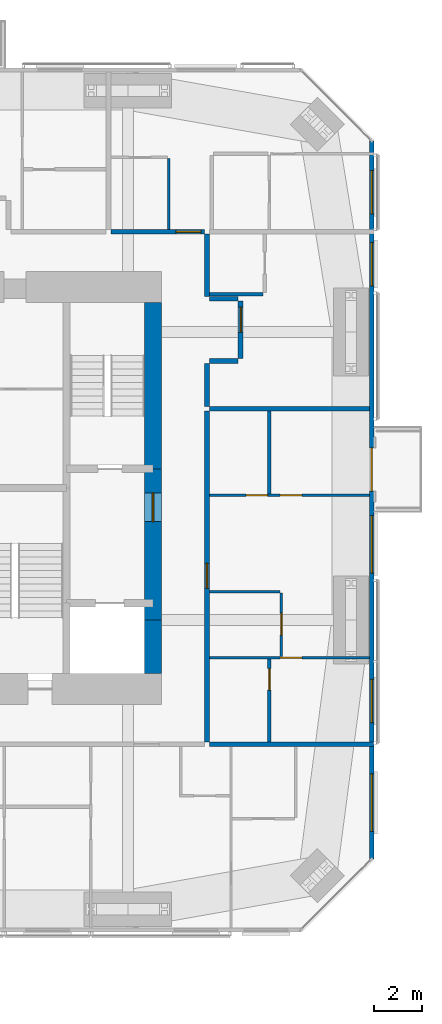
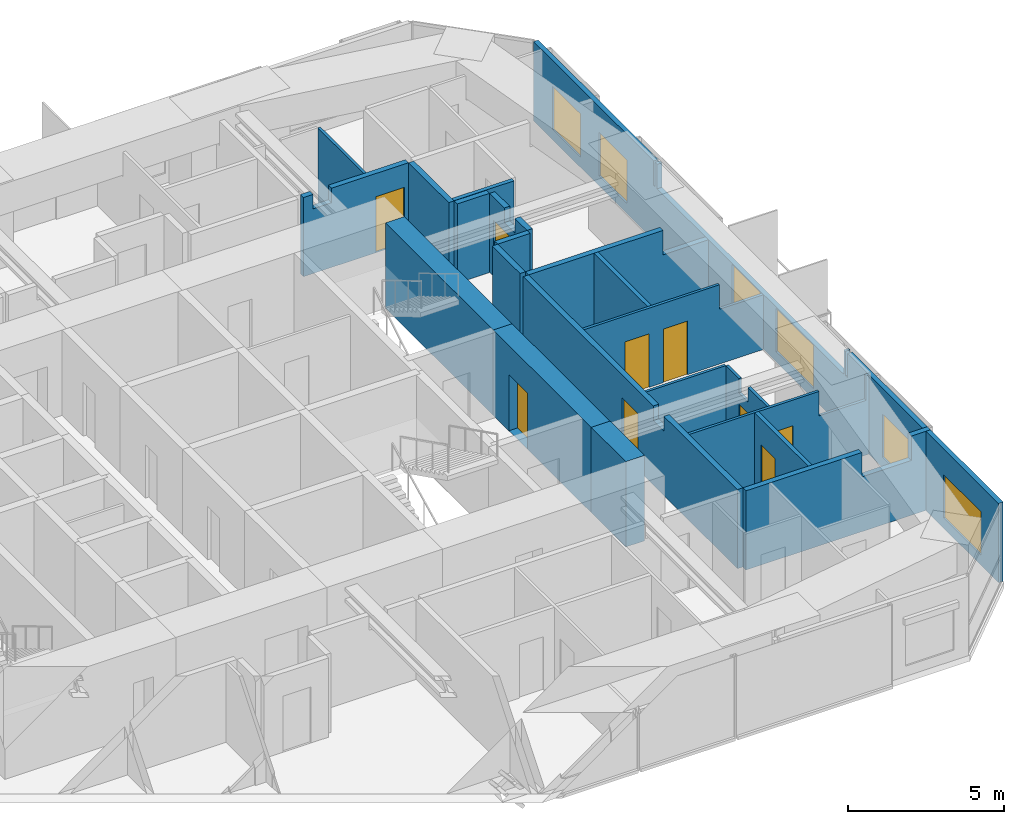
# One storey, part 20 of 23: 21 walls, 10 doors, 5 windows, 15 openings.
"""IFC4 building model written with IfcOpenShell, lengths in metres."""

from ifc_helpers import new_model, si_unit, direction, frame, frame_2d, origin, place, context, subcontext, project, spatial, polyline, rectangle, outline, extrude, material, layer, layer_set, constituent, constituent_set, type_object, element, fill, save


model = new_model("IFC4")

# Units and contexts
model_context = context("Model", 3, precision=1e-05, world=origin(), true_north=direction((0.0, 1.0)))
body_context = subcontext(model_context, "Body", "Model", "MODEL_VIEW")
ifc_project = project(units=[si_unit("LENGTHUNIT", "METRE"), si_unit("AREAUNIT", "SQUARE_METRE"), si_unit("VOLUMEUNIT", "CUBIC_METRE"), si_unit("PLANEANGLEUNIT", "RADIAN"), si_unit("MASSUNIT", "GRAM", prefix="KILO")], contexts=[model_context])

# Site, building, storey
site_placement = place(None, origin())
site = spatial("IfcSite", under=ifc_project, at=site_placement, CompositionType="ELEMENT")
building_placement = place(site_placement, origin())
building = spatial("IfcBuilding", under=site, at=building_placement, Name="Jalousie Tower", CompositionType="ELEMENT")
storey_placement = place(building_placement, frame((0.0, 0.0, 184.5)))
storey = spatial("IfcBuildingStorey", under=building, at=storey_placement, Name="L50", CompositionType="ELEMENT", Elevation=184.5)

# Wall, opening, door
ifc_material_1 = material(Name="Concrete block ASTM C90", Category="concrete")
ifc_constituent_1 = constituent(ifc_material_1, Name="Body")
ifc_material_2 = material(Name="Render")
ifc_constituent_2 = constituent(ifc_material_2, Name="Finish")
ifc_constituent_set_1 = constituent_set(constituents=[ifc_constituent_1, ifc_constituent_2])
wall_type_1 = type_object("IfcWallType", Name="BATHROOM WALL 150", PredefinedType="PLUMBINGWALL", material=ifc_constituent_set_1)
wall_1_placement = place(storey_placement, frame((48.64990234375, 7.925048828125, 0.0), z_axis=(0.0, 0.0, 1.0), x_axis=(0.0, 1.0, 0.0)))
wall_1 = element("IfcWall", 1, at=wall_1_placement, inside=storey, type_object=wall_type_1, Name="Bathroom Wall 150 L50", PredefinedType="PLUMBINGWALL", context=body_context, shape_type="SweptSolid", body=[
    extrude(rectangle(XDim=3.449951171875, YDim=0.14990234375, at=frame_2d((1.72509765625, 0.0))), origin(), (0.0, 0.0, 1.0), 3.110107421875),
])
opening_1_placement = place(wall_1_placement, frame((2.14990234375, 0.0, 0.0)))
opening_1 = element("IfcOpeningElement", 2, at=opening_1_placement, cuts=wall_1, Name="Opening D3", PredefinedType="OPENING", context=body_context, shape_type="SweptSolid", body=[
    extrude(rectangle(XDim=0.89990234375, YDim=2.10009765625, at=frame_2d((0.449951171875, 1.050048828125))), frame((0.0, 0.0849609375, 0.0), z_axis=(0.0, -1.0, 0.0), x_axis=(1.0, 0.0, 0.0)), (0.0, 0.0, 1.0), 0.169921875),
])
ifc_material_3 = material(Name="Timber door", Category="wood")
door_type_1 = type_object("IfcDoorType", Name="BATHROOM DOOR 900", OperationType="SINGLE_SWING_LEFT", PredefinedType="DOOR", material=ifc_material_3)
door_1_placement = place(opening_1_placement, origin())
door_1 = element("IfcDoor", 3, at=door_1_placement, inside=storey, type_object=door_type_1, Name="Apartment 5009 bedroom 1 bathroom door", OperationType="SINGLE_SWING_RIGHT", OverallHeight=2.10009765625, OverallWidth=0.89990234375, PredefinedType="DOOR", context=body_context, shape_type="SweptSolid", body=[
    extrude(rectangle(XDim=0.89990234375, YDim=2.10009765625, at=frame_2d((0.449951171875, 1.050048828125))), frame((0.0, 0.02490234375, 0.0), z_axis=(0.0, -1.0, 0.0), x_axis=(1.0, 0.0, 0.0)), (0.0, 0.0, 1.0), 0.050048828125),
])
fill(opening_1, door_1)

# Walls
wall_2_placement = place(storey_placement, frame((48.64990234375, 18.25, 0.0), z_axis=(0.0, 0.0, 1.0), x_axis=(0.0, 1.0, 0.0)))
element("IfcWall", 4, at=wall_2_placement, inside=storey, type_object=wall_type_1, Name="Bathroom Wall 150 L50", PredefinedType="PLUMBINGWALL", context=body_context, shape_type="SweptSolid", body=[
    extrude(rectangle(XDim=3.449951171875, YDim=0.14990234375, at=frame_2d((1.72509765625, 0.0))), origin(), (0.0, 0.0, 1.0), 3.110107421875),
])
wall_3_placement = place(storey_placement, frame((48.375, 26.574951171875, 0.0), z_axis=(0.0, 0.0, 1.0), x_axis=(-1.0, 0.0, 0.0)))
element("IfcWall", 5, at=wall_3_placement, inside=storey, type_object=wall_type_1, Name="Bathroom Wall 150 L50", PredefinedType="PLUMBINGWALL", context=body_context, shape_type="SweptSolid", body=[
    extrude(rectangle(XDim=2.22509765625, YDim=0.14990234375, at=frame_2d((1.112548828125, 0.0))), origin(), (0.0, 0.0, 1.0), 3.110107421875),
])
ifc_material_4 = material(Name="Concrete f'c 120 MPa", Category="concrete")
ifc_layer = layer(ifc_material_4, 0.699951171875)
ifc_layer_set = layer_set([ifc_layer], Name="Concrete f'c 120 MPa")
wall_type_2 = type_object("IfcWallType", Name="CORE WALL 700", PredefinedType="SHEAR", material=ifc_layer_set)
wall_4_placement = place(storey_placement, frame((43.800048828125, 10.77490234375, 0.0), z_axis=(0.0, 0.0, 1.0), x_axis=(0.0, 1.0, 0.0)))
element("IfcWall", 6, at=wall_4_placement, inside=storey, type_object=wall_type_2, Name="Core wall EA L50", PredefinedType="SHEAR", context=body_context, shape_type="SweptSolid", body=[
    extrude(rectangle(XDim=2.22509765625, YDim=0.699951171875, at=frame_2d((1.112548828125, 0.0))), origin(), (0.0, 0.0, 1.0), 3.35009765625),
])

# Wall, opening, door
wall_5_placement = place(storey_placement, frame((43.800048828125, 13.0, 0.0), z_axis=(0.0, 0.0, 1.0), x_axis=(0.0, 1.0, 0.0)))
wall_5 = element("IfcWall", 7, at=wall_5_placement, inside=storey, type_object=wall_type_2, Name="Core wall EB L50", PredefinedType="SHEAR", context=body_context, shape_type="SweptSolid", body=[
    extrude(rectangle(XDim=6.300048828125, YDim=0.699951171875, at=frame_2d((3.14990234375, 0.0))), origin(), (0.0, 0.0, 1.0), 3.35009765625),
])
opening_2_placement = place(wall_5_placement, frame((4.10009765625, 0.0, 0.0)))
opening_2 = element("IfcOpeningElement", 8, at=opening_2_placement, cuts=wall_5, Name="Opening D11", PredefinedType="OPENING", context=body_context, shape_type="SweptSolid", body=[
    extrude(rectangle(XDim=1.199951171875, YDim=2.199951171875, at=frame_2d((0.60009765625, 1.10009765625))), frame((0.0, 0.35986328125, 0.0), z_axis=(0.0, -1.0, 0.0), x_axis=(1.0, 0.0, 0.0)), (0.0, 0.0, 1.0), 0.719970703125),
])
ifc_material_5 = material(Name="Steel fire door", Category="steel")
door_type_2 = type_object("IfcDoorType", Name="FIRE DOOR 1200", OperationType="SINGLE_SWING_LEFT", PredefinedType="DOOR", material=ifc_material_5)
door_2_placement = place(opening_2_placement, origin())
door_2 = element("IfcDoor", 9, at=door_2_placement, inside=storey, type_object=door_type_2, Name="Fire-fighting lobby B door", OperationType="SINGLE_SWING_RIGHT", OverallHeight=2.199951171875, OverallWidth=1.199951171875, PredefinedType="DOOR", context=body_context, shape_type="SweptSolid", body=[
    extrude(rectangle(XDim=1.199951171875, YDim=2.199951171875, at=frame_2d((0.60009765625, 1.10009765625))), frame((0.0, 0.02490234375, 0.0), z_axis=(0.0, -1.0, 0.0), x_axis=(1.0, 0.0, 0.0)), (0.0, 0.0, 1.0), 0.050048828125),
])
fill(opening_2, door_2)

# Wall
wall_6_placement = place(storey_placement, frame((43.800048828125, 19.300048828125, 0.0), z_axis=(0.0, 0.0, 1.0), x_axis=(0.0, 1.0, 0.0)))
element("IfcWall", 10, at=wall_6_placement, inside=storey, type_object=wall_type_2, Name="Core wall EC L50", PredefinedType="SHEAR", context=body_context, shape_type="SweptSolid", body=[
    extrude(rectangle(XDim=6.925048828125, YDim=0.699951171875, at=frame_2d((3.46240234375, 0.0))), origin(), (0.0, 0.0, 1.0), 3.35009765625),
])

# Wall, opening, door
ifc_material_6 = material(Name="Concrete block ASTM C90", Category="concrete")
ifc_constituent_3 = constituent(ifc_material_6, Name="Body")
ifc_material_7 = material(Name="Render")
ifc_constituent_4 = constituent(ifc_material_7, Name="Finish")
ifc_constituent_set_2 = constituent_set(constituents=[ifc_constituent_3, ifc_constituent_4])
wall_type_3 = type_object("IfcWallType", Name="CORRIDOR WALL 200", PredefinedType="PARTITIONING", material=ifc_constituent_set_2)
wall_7_placement = place(storey_placement, frame((42.050048828125, 29.175048828125, 0.0), z_axis=(0.0, 0.0, 1.0), x_axis=(1.0, 0.0, 0.0)))
wall_7 = element("IfcWall", 11, at=wall_7_placement, inside=storey, type_object=wall_type_3, Name="Corridor Wall 200 L50", PredefinedType="PARTITIONING", context=body_context, shape_type="SweptSolid", body=[
    extrude(outline(polyline([(0.0, 0.0), (3.89990234375, 0.0), (3.89990234375, 3.110107421875), (1.037353515625, 3.110107421875), (1.037353515625, 2.541015625), (0.362548828125, 2.541015625), (0.362548828125, 3.110107421875), (0.0, 3.110107421875), (0.0, 0.0)])), frame((0.0, 0.10009765625, 0.0), z_axis=(0.0, -1.0, 0.0), x_axis=(1.0, 0.0, 0.0)), (0.0, 0.0, 1.0), 0.199951171875),
])
opening_3_placement = place(wall_7_placement, frame((2.699951171875, 0.0, 0.0)))
opening_3 = element("IfcOpeningElement", 12, at=opening_3_placement, cuts=wall_7, Name="Opening D1", PredefinedType="OPENING", context=body_context, shape_type="SweptSolid", body=[
    extrude(rectangle(XDim=1.050048828125, YDim=2.199951171875, at=frame_2d((0.52490234375, 1.10009765625))), frame((0.0, 0.10986328125, 0.0), z_axis=(0.0, -1.0, 0.0), x_axis=(1.0, 0.0, 0.0)), (0.0, 0.0, 1.0), 0.219970703125),
])
ifc_material_8 = material(Name="Timber fire door", Category="wood")
door_type_3 = type_object("IfcDoorType", Name="APARTMENT ENTRANCE DOOR 1050", OperationType="SINGLE_SWING_LEFT", PredefinedType="DOOR", material=ifc_material_8)
door_3_placement = place(opening_3_placement, origin())
door_3 = element("IfcDoor", 13, at=door_3_placement, inside=storey, type_object=door_type_3, Name="Apartment 5007 entrance", OperationType="SINGLE_SWING_LEFT", OverallHeight=2.199951171875, OverallWidth=1.050048828125, PredefinedType="DOOR", context=body_context, shape_type="SweptSolid", body=[
    extrude(rectangle(XDim=1.050048828125, YDim=2.199951171875, at=frame_2d((0.52490234375, 1.10009765625))), frame((0.0, 0.02490234375, 0.0), z_axis=(0.0, -1.0, 0.0), x_axis=(1.0, 0.0, 0.0)), (0.0, 0.0, 1.0), 0.050048828125),
])
fill(opening_3, door_3)

wall_8_placement = place(storey_placement, frame((46.050048828125, 7.925048828125, 0.0), z_axis=(0.0, 0.0, 1.0), x_axis=(0.0, 1.0, 0.0)))
wall_8 = element("IfcWall", 14, at=wall_8_placement, inside=storey, type_object=wall_type_3, Name="Corridor Wall 200 L50", PredefinedType="PARTITIONING", context=body_context, shape_type="SweptSolid", body=[
    extrude(outline(polyline([(0.0, 0.0), (13.77490234375, 0.0), (13.77490234375, 3.110107421875), (5.412353515625, 3.110107421875), (5.412353515625, 2.541015625), (4.73779296875, 2.541015625), (4.73779296875, 3.110107421875), (0.0, 3.110107421875), (0.0, 0.0)])), frame((0.0, 0.10009765625, 0.0), z_axis=(0.0, -1.0, 0.0), x_axis=(1.0, 0.0, 0.0)), (0.0, 0.0, 1.0), 0.199951171875),
])
opening_4_placement = place(wall_8_placement, frame((6.387451171875, 0.0, 0.0)))
opening_4 = element("IfcOpeningElement", 15, at=opening_4_placement, cuts=wall_8, Name="Opening D1", PredefinedType="OPENING", context=body_context, shape_type="SweptSolid", body=[
    extrude(rectangle(XDim=1.050048828125, YDim=2.199951171875, at=frame_2d((0.52490234375, 1.10009765625))), frame((0.0, 0.10986328125, 0.0), z_axis=(0.0, -1.0, 0.0), x_axis=(1.0, 0.0, 0.0)), (0.0, 0.0, 1.0), 0.219970703125),
])
door_4_placement = place(opening_4_placement, frame((1.050048828125, 0.0, 0.0), z_axis=(0.0, 0.0, 1.0), x_axis=(-1.0, 0.0, 0.0)))
door_4 = element("IfcDoor", 16, at=door_4_placement, inside=storey, type_object=door_type_3, Name="Apartment 5009 entrance", OperationType="SINGLE_SWING_RIGHT", OverallHeight=2.199951171875, OverallWidth=1.050048828125, PredefinedType="DOOR", context=body_context, shape_type="SweptSolid", body=[
    extrude(rectangle(XDim=1.050048828125, YDim=2.199951171875, at=frame_2d((0.52490234375, 1.10009765625))), frame((0.0, 0.02490234375, 0.0), z_axis=(0.0, -1.0, 0.0), x_axis=(1.0, 0.0, 0.0)), (0.0, 0.0, 1.0), 0.050048828125),
])
fill(opening_4, door_4)

# Walls
wall_9_placement = place(storey_placement, frame((46.050048828125, 21.89990234375, 0.0), z_axis=(0.0, 0.0, 1.0), x_axis=(0.0, 1.0, 0.0)))
element("IfcWall", 17, at=wall_9_placement, inside=storey, type_object=wall_type_3, Name="Corridor Wall 200 L50", PredefinedType="PARTITIONING", context=body_context, shape_type="SweptSolid", body=[
    extrude(rectangle(XDim=1.78759765625, YDim=0.199951171875, at=frame_2d((0.893798828125, 0.0))), origin(), (0.0, 0.0, 1.0), 3.110107421875),
])
wall_10_placement = place(storey_placement, frame((46.050048828125, 26.487548828125, 0.0), z_axis=(0.0, 0.0, 1.0), x_axis=(0.0, 1.0, 0.0)))
element("IfcWall", 18, at=wall_10_placement, inside=storey, type_object=wall_type_3, Name="Corridor Wall 200 L50", PredefinedType="PARTITIONING", context=body_context, shape_type="SweptSolid", body=[
    extrude(rectangle(XDim=2.58740234375, YDim=0.199951171875, at=frame_2d((1.293701171875, 0.0))), origin(), (0.0, 0.0, 1.0), 3.110107421875),
])

# Wall, opening, door
wall_11_placement = place(storey_placement, frame((47.449951171875, 23.887451171875, 0.0), z_axis=(0.0, 0.0, 1.0), x_axis=(0.0, 1.0, 0.0)))
wall_11 = element("IfcWall", 19, at=wall_11_placement, inside=storey, type_object=wall_type_3, Name="Corridor Wall 200 L50", PredefinedType="PARTITIONING", context=body_context, shape_type="SweptSolid", body=[
    extrude(outline(polyline([(0.0, 0.0), (2.400146484375, 0.0), (2.39990234375, 3.110107421875), (1.44970703125, 3.110107421875), (1.44970703125, 2.541015625), (0.775146484375, 2.541015625), (0.775146484375, 3.110107421875), (0.0, 3.110107421875), (0.0, 0.0)])), frame((0.0, 0.10009765625, 0.0), z_axis=(0.0, -1.0, 0.0), x_axis=(1.0, 0.0, 0.0)), (0.0, 0.0, 1.0), 0.199951171875),
])
opening_5_placement = place(wall_11_placement, frame((1.10009765625, 0.0, 0.0)))
opening_5 = element("IfcOpeningElement", 20, at=opening_5_placement, cuts=wall_11, Name="Opening D1", PredefinedType="OPENING", context=body_context, shape_type="SweptSolid", body=[
    extrude(rectangle(XDim=1.050048828125, YDim=2.199951171875, at=frame_2d((0.52490234375, 1.10009765625))), frame((0.0, 0.10986328125, 0.0), z_axis=(0.0, -1.0, 0.0), x_axis=(1.0, 0.0, 0.0)), (0.0, 0.0, 1.0), 0.219970703125),
])
door_5_placement = place(opening_5_placement, frame((1.050048828125, 0.0, 0.0), z_axis=(0.0, 0.0, 1.0), x_axis=(-1.0, 0.0, 0.0)))
door_5 = element("IfcDoor", 21, at=door_5_placement, inside=storey, type_object=door_type_3, Name="Apartment 5010 entrance", OperationType="SINGLE_SWING_LEFT", OverallHeight=2.199951171875, OverallWidth=1.050048828125, PredefinedType="DOOR", context=body_context, shape_type="SweptSolid", body=[
    extrude(rectangle(XDim=1.050048828125, YDim=2.199951171875, at=frame_2d((0.52490234375, 1.10009765625))), frame((0.0, 0.02490234375, 0.0), z_axis=(0.0, -1.0, 0.0), x_axis=(1.0, 0.0, 0.0)), (0.0, 0.0, 1.0), 0.050048828125),
])
fill(opening_5, door_5)

# Walls
for number, where, z_axis, x_axis, name in (
    (22, (46.14990234375, 23.78759765625, 0.0), (0.0, 0.0, 1.0), (1.0, 0.0, 0.0), "Corridor Wall 200 L50"),
    (23, (46.14990234375, 26.387451171875, 0.0), (0.0, 0.0, 1.0), (1.0, 0.0, 0.0), "Corridor Wall 200 L50"),
):
    element("IfcWall", number, at=place(storey_placement, frame(where, z_axis=z_axis, x_axis=x_axis)), inside=storey, type_object=wall_type_3, Name=name, PredefinedType="PARTITIONING", context=body_context, shape_type="SweptSolid", body=[
        extrude(rectangle(XDim=1.2001953125, YDim=0.199951171875, at=frame_2d((0.60009765625, 0.0))), origin(), (0.0, 0.0, 1.0), 3.110107421875),
    ])

# Wall, openings, door, windows
ifc_material_9 = material(Name="Concrete f'c 40 MPa", Category="concrete")
ifc_constituent_5 = constituent(ifc_material_9, Name="Body")
ifc_material_10 = material(Name="Render, pastel lemon")
ifc_constituent_6 = constituent(ifc_material_10, Name="Finish")
ifc_constituent_set_3 = constituent_set(constituents=[ifc_constituent_5, ifc_constituent_6])
wall_type_4 = type_object("IfcWallType", Name="EXTERNAL WALL 175 LEMON RENDER", PredefinedType="SOLIDWALL", material=ifc_constituent_set_3)
wall_12_placement = place(storey_placement, frame((52.91259765625, 3.05126953125, 0.0), z_axis=(0.0, 0.0, 1.0), x_axis=(0.0, 1.0, 0.0)))
wall_12 = element("IfcWall", 24, at=wall_12_placement, inside=storey, type_object=wall_type_4, Name="External Wall 175 Lemon Render L50", PredefinedType="SOLIDWALL", context=body_context, shape_type="SweptSolid", body=[
    extrude(outline(polyline([(0.0, 0.0), (29.8974609375, 0.0), (29.8974609375, 3.110107421875), (22.16748046875, 3.110107421875), (22.16748046875, 2.14990234375), (22.073974609375, 2.14990234375), (22.073974609375, 3.110107421875), (21.94873046875, 3.110107421875), (21.94873046875, 2.14990234375), (9.94873046875, 2.14990234375), (9.94873046875, 3.110107421875), (9.846923828125, 3.110107421875), (9.846923828125, 2.14990234375), (9.7060546875, 2.14990234375), (9.7060546875, 3.110107421875), (0.0, 3.110107421875), (0.0, 0.0)])), frame((0.0, 0.08740234375, 0.0), z_axis=(0.0, -1.0, 0.0), x_axis=(1.0, 0.0, 0.0)), (0.0, 0.0, 1.0), 0.175048828125),
])
opening_6_placement = place(wall_12_placement, frame((1.136962890625, 0.0, 0.39990234375)))
opening_6 = element("IfcOpeningElement", 25, at=opening_6_placement, cuts=wall_12, Name="Opening W-LIV170", PredefinedType="OPENING", context=body_context, shape_type="SweptSolid", body=[
    extrude(rectangle(XDim=2.39990234375, YDim=1.699951171875, at=frame_2d((1.199951171875, 0.85009765625))), frame((0.0, 0.097412109375, 0.0), z_axis=(0.0, -1.0, 0.0), x_axis=(1.0, 0.0, 0.0)), (0.0, 0.0, 1.0), 0.195068359375),
])
opening_7_placement = place(wall_12_placement, frame((5.673583984375, 0.0, 0.39990234375)))
opening_7 = element("IfcOpeningElement", 26, at=opening_7_placement, cuts=wall_12, Name="Opening W-BED170", PredefinedType="OPENING", context=body_context, shape_type="SweptSolid", body=[
    extrude(rectangle(XDim=1.800048828125, YDim=1.699951171875, at=frame_2d((0.89990234375, 0.85009765625))), frame((0.0, 0.097412109375, 0.0), z_axis=(0.0, -1.0, 0.0), x_axis=(1.0, 0.0, 0.0)), (0.0, 0.0, 1.0), 0.195068359375),
])
opening_8_placement = place(wall_12_placement, frame((11.90185546875, 0.0, 0.39990234375)))
opening_8 = element("IfcOpeningElement", 27, at=opening_8_placement, cuts=wall_12, Name="Opening W-LIV170", PredefinedType="OPENING", context=body_context, shape_type="SweptSolid", body=[
    extrude(rectangle(XDim=2.39990234375, YDim=1.699951171875, at=frame_2d((1.199951171875, 0.85009765625))), frame((0.0, 0.097412109375, 0.0), z_axis=(0.0, -1.0, 0.0), x_axis=(1.0, 0.0, 0.0)), (0.0, 0.0, 1.0), 0.195068359375),
])
opening_9_placement = place(wall_12_placement, frame((15.32373046875, 0.0, 0.0)))
opening_9 = element("IfcOpeningElement", 28, at=opening_9_placement, cuts=wall_12, Name="Opening D-BAL21", PredefinedType="OPENING", context=body_context, shape_type="SweptSolid", body=[
    extrude(rectangle(XDim=1.800048828125, YDim=2.10009765625, at=frame_2d((0.89990234375, 1.050048828125))), frame((0.0, 0.097412109375, 0.0), z_axis=(0.0, -1.0, 0.0), x_axis=(1.0, 0.0, 0.0)), (0.0, 0.0, 1.0), 0.195068359375),
])
opening_10_placement = place(wall_12_placement, frame((23.873779296875, 0.0, 0.39990234375)))
opening_10 = element("IfcOpeningElement", 29, at=opening_10_placement, cuts=wall_12, Name="Opening W-BED170", PredefinedType="OPENING", context=body_context, shape_type="SweptSolid", body=[
    extrude(rectangle(XDim=1.800048828125, YDim=1.699951171875, at=frame_2d((0.89990234375, 0.85009765625))), frame((0.0, 0.097412109375, 0.0), z_axis=(0.0, -1.0, 0.0), x_axis=(1.0, 0.0, 0.0)), (0.0, 0.0, 1.0), 0.195068359375),
])
opening_11_placement = place(wall_12_placement, frame((26.871337890625, 0.0, 0.39990234375)))
opening_11 = element("IfcOpeningElement", 30, at=opening_11_placement, cuts=wall_12, Name="Opening W-BED170", PredefinedType="OPENING", context=body_context, shape_type="SweptSolid", body=[
    extrude(rectangle(XDim=1.800048828125, YDim=1.699951171875, at=frame_2d((0.89990234375, 0.85009765625))), frame((0.0, 0.097412109375, 0.0), z_axis=(0.0, -1.0, 0.0), x_axis=(1.0, 0.0, 0.0)), (0.0, 0.0, 1.0), 0.195068359375),
])
ifc_material_11 = material(Name="Aluminium frame, impact-rated glazing", Category="aluminium")
door_type_4 = type_object("IfcDoorType", Name="BALCONY DOOR 1800x2100", OperationType="SLIDING_TO_LEFT", PredefinedType="DOOR", material=ifc_material_11)
door_6_placement = place(opening_9_placement, origin())
door_6 = element("IfcDoor", 31, at=door_6_placement, inside=storey, type_object=door_type_4, Name="Apartment 5009 bedroom 2 balcony door", OperationType="SLIDING_TO_LEFT", OverallHeight=2.10009765625, OverallWidth=1.800048828125, PredefinedType="DOOR", context=body_context, shape_type="SweptSolid", body=[
    extrude(rectangle(XDim=1.800048828125, YDim=2.10009765625, at=frame_2d((0.89990234375, 1.050048828125))), frame((0.0, 0.02490234375, 0.0), z_axis=(0.0, -1.0, 0.0), x_axis=(1.0, 0.0, 0.0)), (0.0, 0.0, 1.0), 0.050048828125),
])
fill(opening_9, door_6)
ifc_material_12 = material(Name="Aluminium frame, impact-rated glazing", Category="aluminium")
window_type_1 = type_object("IfcWindowType", Name="WINDOW BED 1800x1700", PartitioningType="SINGLE_PANEL", PredefinedType="WINDOW", material=ifc_material_12)
window_1_placement = place(opening_7_placement, origin())
window_1 = element("IfcWindow", 32, at=window_1_placement, inside=storey, type_object=window_type_1, Name="Apartment 5009 bedroom 1 window", OverallHeight=1.699951171875, OverallWidth=1.800048828125, PartitioningType="SINGLE_PANEL", PredefinedType="WINDOW", context=body_context, shape_type="SweptSolid", body=[
    extrude(rectangle(XDim=1.800048828125, YDim=1.699951171875, at=frame_2d((0.89990234375, 0.85009765625))), frame((0.0, 0.030029296875, 0.0), z_axis=(0.0, -1.0, 0.0), x_axis=(1.0, 0.0, 0.0)), (0.0, 0.0, 1.0), 0.06005859375),
])
fill(opening_7, window_1)
window_2_placement = place(opening_10_placement, origin())
window_2 = element("IfcWindow", 33, at=window_2_placement, inside=storey, type_object=window_type_1, Name="Apartment 5010 studio kitchen, living and sleeping room window", OverallHeight=1.699951171875, OverallWidth=1.800048828125, PartitioningType="SINGLE_PANEL", PredefinedType="WINDOW", context=body_context, shape_type="SweptSolid", body=[
    extrude(rectangle(XDim=1.800048828125, YDim=1.699951171875, at=frame_2d((0.89990234375, 0.85009765625))), frame((0.0, 0.030029296875, 0.0), z_axis=(0.0, -1.0, 0.0), x_axis=(1.0, 0.0, 0.0)), (0.0, 0.0, 1.0), 0.06005859375),
])
fill(opening_10, window_2)
window_3_placement = place(opening_11_placement, origin())
window_3 = element("IfcWindow", 34, at=window_3_placement, inside=storey, type_object=window_type_1, Name="Apartment 5007 bedroom 1 window", OverallHeight=1.699951171875, OverallWidth=1.800048828125, PartitioningType="SINGLE_PANEL", PredefinedType="WINDOW", context=body_context, shape_type="SweptSolid", body=[
    extrude(rectangle(XDim=1.800048828125, YDim=1.699951171875, at=frame_2d((0.89990234375, 0.85009765625))), frame((0.0, 0.030029296875, 0.0), z_axis=(0.0, -1.0, 0.0), x_axis=(1.0, 0.0, 0.0)), (0.0, 0.0, 1.0), 0.06005859375),
])
fill(opening_11, window_3)
ifc_material_13 = material(Name="Aluminium frame, impact-rated glazing", Category="aluminium")
window_type_2 = type_object("IfcWindowType", Name="WINDOW LIV 2400x1700", PartitioningType="DOUBLE_PANEL_VERTICAL", PredefinedType="WINDOW", material=ifc_material_13)
window_4_placement = place(opening_6_placement, origin())
window_4 = element("IfcWindow", 35, at=window_4_placement, inside=storey, type_object=window_type_2, Name="Apartment 5003 living and dining room window", OverallHeight=1.699951171875, OverallWidth=2.39990234375, PartitioningType="SINGLE_PANEL", PredefinedType="WINDOW", context=body_context, shape_type="SweptSolid", body=[
    extrude(rectangle(XDim=2.39990234375, YDim=1.699951171875, at=frame_2d((1.199951171875, 0.85009765625))), frame((0.0, 0.030029296875, 0.0), z_axis=(0.0, -1.0, 0.0), x_axis=(1.0, 0.0, 0.0)), (0.0, 0.0, 1.0), 0.06005859375),
])
fill(opening_6, window_4)
window_5_placement = place(opening_8_placement, origin())
window_5 = element("IfcWindow", 36, at=window_5_placement, inside=storey, type_object=window_type_2, Name="Apartment 5009 living and dining room window", OverallHeight=1.699951171875, OverallWidth=2.39990234375, PartitioningType="SINGLE_PANEL", PredefinedType="WINDOW", context=body_context, shape_type="SweptSolid", body=[
    extrude(rectangle(XDim=2.39990234375, YDim=1.699951171875, at=frame_2d((1.199951171875, 0.85009765625))), frame((0.0, 0.030029296875, 0.0), z_axis=(0.0, -1.0, 0.0), x_axis=(1.0, 0.0, 0.0)), (0.0, 0.0, 1.0), 0.06005859375),
])
fill(opening_8, window_5)

# Wall
ifc_material_14 = material(Name="Gypsum board", Category="gypsum")
ifc_constituent_7 = constituent(ifc_material_14, Name="Body")
ifc_material_15 = material(Name="Light-gauge steel studs ASTM A653 SS Grade 33", Category="steel")
ifc_constituent_8 = constituent(ifc_material_15, Name="Framing")
ifc_constituent_set_4 = constituent_set(constituents=[ifc_constituent_7, ifc_constituent_8])
wall_type_5 = type_object("IfcWallType", Name="PARTITION 100", PredefinedType="PARTITIONING", material=ifc_constituent_set_4)
wall_13_placement = place(storey_placement, frame((44.449951171875, 32.22509765625, 0.0), z_axis=(0.0, 0.0, 1.0), x_axis=(0.0, -1.0, 0.0)))
element("IfcWall", 37, at=wall_13_placement, inside=storey, type_object=wall_type_5, Name="Partition 100 L50", PredefinedType="PARTITIONING", context=body_context, shape_type="SweptSolid", body=[
    extrude(rectangle(XDim=2.9501953125, YDim=0.10009765625, at=frame_2d((1.47509765625, 0.0))), origin(), (0.0, 0.0, 1.0), 3.110107421875),
])

# Wall, opening, door
wall_14_placement = place(storey_placement, frame((52.824951171875, 11.425048828125, 0.0), z_axis=(0.0, 0.0, 1.0), x_axis=(-1.0, 0.0, 0.0)))
wall_14 = element("IfcWall", 38, at=wall_14_placement, inside=storey, type_object=wall_type_5, Name="Partition 100 L50", PredefinedType="PARTITIONING", context=body_context, shape_type="SweptSolid", body=[
    extrude(outline(polyline([(0.0, 0.0), (6.675048828125, 0.0), (6.675048828125, 3.110107421875), (1.84912109375, 3.110107421875), (1.84912109375, 2.14990234375), (0.114501953125, 2.14990234375), (0.114501953125, 3.110107421875), (0.0, 3.110107421875), (0.0, 0.0)])), frame((0.0, 0.050048828125, 0.0), z_axis=(0.0, -1.0, 0.0), x_axis=(1.0, 0.0, 0.0)), (0.0, 0.0, 1.0), 0.10009765625),
])
opening_12_placement = place(wall_14_placement, frame((2.824951171875, 0.0, 0.0)))
opening_12 = element("IfcOpeningElement", 39, at=opening_12_placement, cuts=wall_14, Name="Opening D2", PredefinedType="OPENING", context=body_context, shape_type="SweptSolid", body=[
    extrude(rectangle(XDim=0.89990234375, YDim=2.10009765625, at=frame_2d((0.449951171875, 1.050048828125))), frame((0.0, 0.06005859375, 0.0), z_axis=(0.0, -1.0, 0.0), x_axis=(1.0, 0.0, 0.0)), (0.0, 0.0, 1.0), 0.1201171875),
])
ifc_material_16 = material(Name="Timber door", Category="wood")
door_type_5 = type_object("IfcDoorType", Name="BEDROOM DOOR 900", OperationType="SINGLE_SWING_LEFT", PredefinedType="DOOR", material=ifc_material_16)
door_7_placement = place(opening_12_placement, origin())
door_7 = element("IfcDoor", 40, at=door_7_placement, inside=storey, type_object=door_type_5, Name="Apartment 5009 bedroom 1 door", OperationType="SINGLE_SWING_RIGHT", OverallHeight=2.10009765625, OverallWidth=0.89990234375, PredefinedType="DOOR", context=body_context, shape_type="SweptSolid", body=[
    extrude(rectangle(XDim=0.89990234375, YDim=2.10009765625, at=frame_2d((0.449951171875, 1.050048828125))), frame((0.0, 0.02490234375, 0.0), z_axis=(0.0, -1.0, 0.0), x_axis=(1.0, 0.0, 0.0)), (0.0, 0.0, 1.0), 0.050048828125),
])
fill(opening_12, door_7)

# Wall, openings, doors
wall_15_placement = place(storey_placement, frame((52.824951171875, 18.199951171875, 0.0), z_axis=(0.0, 0.0, 1.0), x_axis=(-1.0, 0.0, 0.0)))
wall_15 = element("IfcWall", 41, at=wall_15_placement, inside=storey, type_object=wall_type_5, Name="Partition 100 L50", PredefinedType="PARTITIONING", context=body_context, shape_type="SweptSolid", body=[
    extrude(outline(polyline([(0.0, 0.0), (6.675048828125, 0.0), (6.675048828125, 3.110107421875), (1.635009765625, 3.110107421875), (1.635009765625, 2.14990234375), (0.0, 2.14990234375), (0.0, 3.110107421875), (0.0, 0.0)])), frame((0.0, 0.050048828125, 0.0), z_axis=(0.0, -1.0, 0.0), x_axis=(1.0, 0.0, 0.0)), (0.0, 0.0, 1.0), 0.10009765625),
])
opening_13_placement = place(wall_15_placement, frame((2.824951171875, 0.0, 0.0)))
opening_13 = element("IfcOpeningElement", 42, at=opening_13_placement, cuts=wall_15, Name="Opening D2", PredefinedType="OPENING", context=body_context, shape_type="SweptSolid", body=[
    extrude(rectangle(XDim=0.89990234375, YDim=2.10009765625, at=frame_2d((0.449951171875, 1.050048828125))), frame((0.0, 0.06005859375, 0.0), z_axis=(0.0, -1.0, 0.0), x_axis=(1.0, 0.0, 0.0)), (0.0, 0.0, 1.0), 0.1201171875),
])
opening_14_placement = place(wall_15_placement, frame((4.25, 0.0, 0.0)))
opening_14 = element("IfcOpeningElement", 43, at=opening_14_placement, cuts=wall_15, Name="Opening D7", PredefinedType="OPENING", context=body_context, shape_type="SweptSolid", body=[
    extrude(rectangle(XDim=0.89990234375, YDim=2.10009765625, at=frame_2d((0.449951171875, 1.050048828125))), frame((0.0, 0.06005859375, 0.0), z_axis=(0.0, -1.0, 0.0), x_axis=(1.0, 0.0, 0.0)), (0.0, 0.0, 1.0), 0.1201171875),
])
door_8_placement = place(opening_13_placement, frame((0.89990234375, 0.0, 0.0), z_axis=(0.0, 0.0, 1.0), x_axis=(-1.0, 0.0, 0.0)))
door_8 = element("IfcDoor", 44, at=door_8_placement, inside=storey, type_object=door_type_5, Name="Apartment 5009 bedroom 2 door", OperationType="SINGLE_SWING_LEFT", OverallHeight=2.10009765625, OverallWidth=0.89990234375, PredefinedType="DOOR", context=body_context, shape_type="SweptSolid", body=[
    extrude(rectangle(XDim=0.89990234375, YDim=2.10009765625, at=frame_2d((0.449951171875, 1.050048828125))), frame((0.0, 0.02490234375, 0.0), z_axis=(0.0, -1.0, 0.0), x_axis=(1.0, 0.0, 0.0)), (0.0, 0.0, 1.0), 0.050048828125),
])
fill(opening_13, door_8)
ifc_material_17 = material(Name="Timber door", Category="wood")
door_type_6 = type_object("IfcDoorType", Name="INTERNAL DOOR 900", OperationType="SINGLE_SWING_LEFT", PredefinedType="DOOR", material=ifc_material_17)
door_9_placement = place(opening_14_placement, frame((0.89990234375, 0.0, 0.0), z_axis=(0.0, 0.0, 1.0), x_axis=(-1.0, 0.0, 0.0)))
door_9 = element("IfcDoor", 45, at=door_9_placement, inside=storey, type_object=door_type_6, Name="Apartment 5009 bathroom door", OperationType="SINGLE_SWING_RIGHT", OverallHeight=2.10009765625, OverallWidth=0.89990234375, PredefinedType="DOOR", context=body_context, shape_type="SweptSolid", body=[
    extrude(rectangle(XDim=0.89990234375, YDim=2.10009765625, at=frame_2d((0.449951171875, 1.050048828125))), frame((0.0, 0.02490234375, 0.0), z_axis=(0.0, -1.0, 0.0), x_axis=(1.0, 0.0, 0.0)), (0.0, 0.0, 1.0), 0.050048828125),
])
fill(opening_14, door_9)

# Wall, opening, door
wall_16_placement = place(storey_placement, frame((49.14990234375, 11.47509765625, 0.0), z_axis=(0.0, 0.0, 1.0), x_axis=(0.0, 1.0, 0.0)))
wall_16 = element("IfcWall", 46, at=wall_16_placement, inside=storey, type_object=wall_type_5, Name="Partition 100 L50", PredefinedType="PARTITIONING", context=body_context, shape_type="SweptSolid", body=[
    extrude(outline(polyline([(0.0, 0.0), (2.64990234375, 0.0), (2.64990234375, 3.110107421875), (1.8125, 3.110107421875), (1.8125, 2.541015625), (1.23779296875, 2.541015625), (1.23779296875, 3.110107421875), (0.0, 3.110107421875), (0.0, 0.0)])), frame((0.0, 0.050048828125, 0.0), z_axis=(0.0, -1.0, 0.0), x_axis=(1.0, 0.0, 0.0)), (0.0, 0.0, 1.0), 0.10009765625),
])
opening_15_placement = place(wall_16_placement, frame((0.89990234375, 0.0, 0.0)))
opening_15 = element("IfcOpeningElement", 47, at=opening_15_placement, cuts=wall_16, Name="Opening D7", PredefinedType="OPENING", context=body_context, shape_type="SweptSolid", body=[
    extrude(rectangle(XDim=0.89990234375, YDim=2.10009765625, at=frame_2d((0.449951171875, 1.050048828125))), frame((0.0, 0.06005859375, 0.0), z_axis=(0.0, -1.0, 0.0), x_axis=(1.0, 0.0, 0.0)), (0.0, 0.0, 1.0), 0.1201171875),
])
door_10_placement = place(opening_15_placement, frame((0.89990234375, 0.0, 0.0), z_axis=(0.0, 0.0, 1.0), x_axis=(-1.0, 0.0, 0.0)))
door_10 = element("IfcDoor", 48, at=door_10_placement, inside=storey, type_object=door_type_6, Name="Apartment 5009 kitchen door", OperationType="SINGLE_SWING_RIGHT", OverallHeight=2.10009765625, OverallWidth=0.89990234375, PredefinedType="DOOR", context=body_context, shape_type="SweptSolid", body=[
    extrude(rectangle(XDim=0.89990234375, YDim=2.10009765625, at=frame_2d((0.449951171875, 1.050048828125))), frame((0.0, 0.02490234375, 0.0), z_axis=(0.0, -1.0, 0.0), x_axis=(1.0, 0.0, 0.0)), (0.0, 0.0, 1.0), 0.050048828125),
])
fill(opening_15, door_10)

# Walls
wall_17_placement = place(storey_placement, frame((49.10009765625, 14.175048828125, 0.0), z_axis=(0.0, 0.0, 1.0), x_axis=(-1.0, 0.0, 0.0)))
element("IfcWall", 49, at=wall_17_placement, inside=storey, type_object=wall_type_5, Name="Partition 100 L50", PredefinedType="PARTITIONING", context=body_context, shape_type="SweptSolid", body=[
    extrude(rectangle(XDim=2.9501953125, YDim=0.10009765625, at=frame_2d((1.47509765625, 0.0))), origin(), (0.0, 0.0, 1.0), 3.110107421875),
])
ifc_material_18 = material(Name="Concrete block ASTM C90", Category="concrete")
ifc_constituent_9 = constituent(ifc_material_18, Name="Body")
ifc_material_19 = material(Name="Render")
ifc_constituent_10 = constituent(ifc_material_19, Name="Finish")
ifc_constituent_set_5 = constituent_set(constituents=[ifc_constituent_9, ifc_constituent_10])
wall_type_6 = type_object("IfcWallType", Name="PARTY WALL 200", PredefinedType="PARTITIONING", material=ifc_constituent_set_5)
wall_18_placement = place(storey_placement, frame((46.14990234375, 7.824951171875, 0.0), z_axis=(0.0, 0.0, 1.0), x_axis=(1.0, 0.0, 0.0)))
element("IfcWall", 50, at=wall_18_placement, inside=storey, type_object=wall_type_6, Name="Party Wall 200 L50", PredefinedType="PARTITIONING", context=body_context, shape_type="SweptSolid", body=[
    extrude(outline(polyline([(0.0, 0.0), (6.85009765625, 0.0), (6.85009765625, 3.110107421875), (6.138427734375, 3.110107421875), (6.138427734375, 2.14990234375), (4.302734375, 2.14990234375), (4.302734375, 3.110107421875), (0.0, 3.110107421875), (0.0, 0.0)])), frame((0.0, 0.10009765625, 0.0), z_axis=(0.0, -1.0, 0.0), x_axis=(1.0, 0.0, 0.0)), (0.0, 0.0, 1.0), 0.199951171875),
])
wall_19_placement = place(storey_placement, frame((52.824951171875, 21.800048828125, 0.0), z_axis=(0.0, 0.0, 1.0), x_axis=(-1.0, 0.0, 0.0)))
element("IfcWall", 51, at=wall_19_placement, inside=storey, type_object=wall_type_6, Name="Party Wall 200 L50", PredefinedType="PARTITIONING", context=body_context, shape_type="SweptSolid", body=[
    extrude(outline(polyline([(0.0, 0.0), (6.675048828125, 0.0), (6.675048828125, 3.110107421875), (1.68505859375, 3.110107421875), (1.68505859375, 2.14990234375), (0.0, 2.14990234375), (0.0, 3.110107421875), (0.0, 0.0)])), frame((0.0, 0.10009765625, 0.0), z_axis=(0.0, -1.0, 0.0), x_axis=(1.0, 0.0, 0.0)), (0.0, 0.0, 1.0), 0.199951171875),
])

save(model, "model.ifc")
